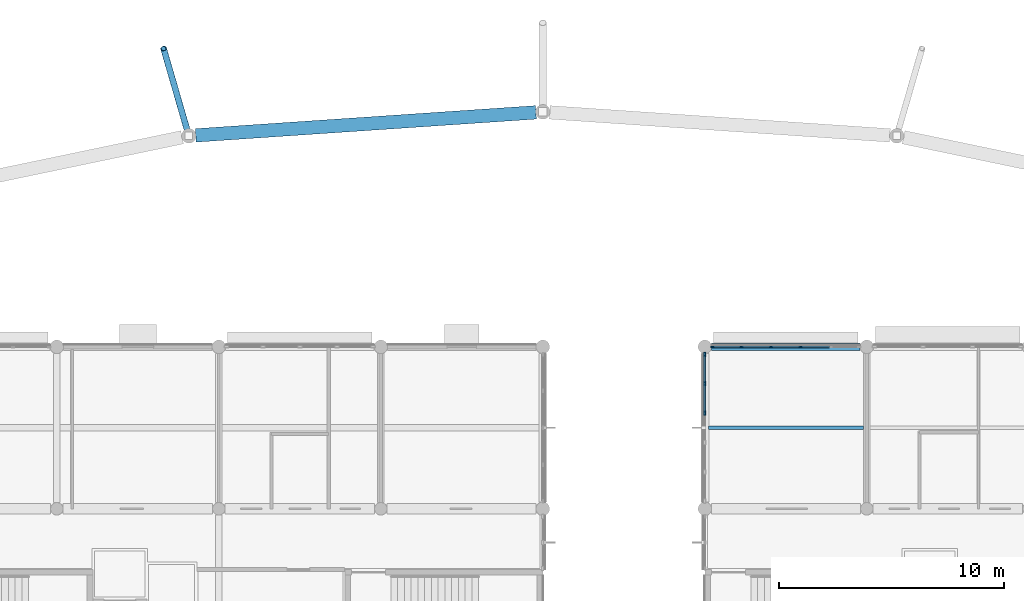
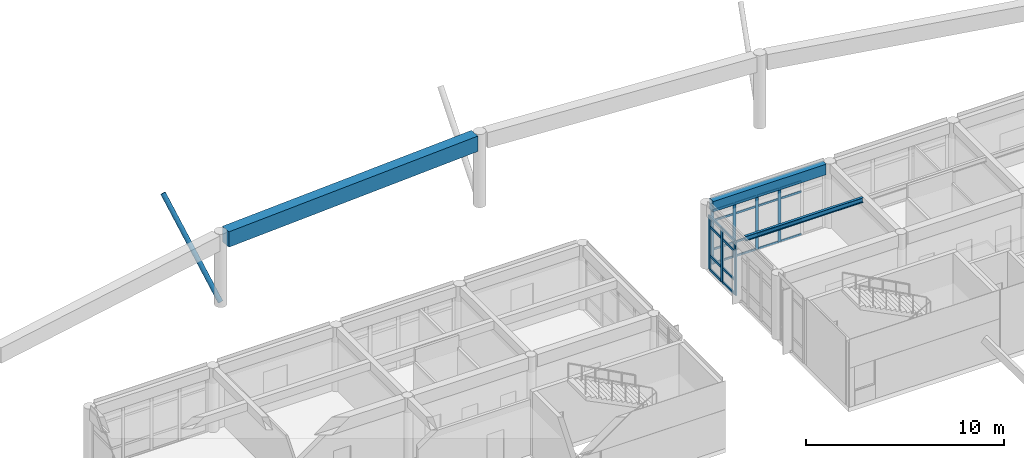
# One storey, part 12 of 37: 32 members, 3 beams, 2 elements without a shape of their own.
"""IFC4 building model written with IfcOpenShell, lengths in metres."""

import ifcopenshell
import ifcopenshell.guid

model = None  # the IFC model being written
_history = None  # IfcOwnerHistory: only IFC2X3 demands one
_inside = {}  # id of a spatial element -> (the spatial element, [elements in it])
_under = {}  # id of a project, library or spatial element -> (it, [spatial elements below it])
_declared = {}  # id of a project -> (the project, [libraries it declares])
_typed = {}  # id of a type object -> (the type object, [elements of that type])
_made_of = {}  # id of a material, layer set ... -> (it, [elements and type objects made of it])


def new_model(schema):
    """Start an empty IFC model of exactly this schema.

    Asked for "IFC4X3", IfcOpenShell would pick the latest addendum, in which some entities
    have other attributes; the version numbers below select the first issue.
    IFC2X3 requires an IfcOwnerHistory on every rooted entity: one is made here for all.
    """
    global model, _history
    if schema == "IFC4X3":
        model = ifcopenshell.file(schema_version=(4, 3, 0, 0))
    else:
        model = ifcopenshell.file(schema=schema)
    _inside.clear()
    _under.clear()
    _declared.clear()
    _typed.clear()
    _made_of.clear()
    _history = None
    if model.schema == "IFC2X3":
        org = make("IfcOrganization", Name="unknown")
        user = make(
            "IfcPersonAndOrganization",
            ThePerson=make("IfcPerson", FamilyName="unknown"),
            TheOrganization=org,
        )
        app = make(
            "IfcApplication",
            ApplicationDeveloper=org,
            Version="unknown",
            ApplicationFullName="unknown",
            ApplicationIdentifier="unknown",
        )
        _history = make(
            "IfcOwnerHistory",
            OwningUser=user,
            OwningApplication=app,
            ChangeAction="ADDED",
            CreationDate=0,
        )
    return model


def make(cls, **values):
    """One entity of the class cls with the attributes given. An attribute that is None is left unset."""
    return model.create_entity(
        cls, **{name: value for name, value in values.items() if value is not None}
    )


def rooted(cls, **values):
    """An entity with a GlobalId (a new one), such as an element, a storey or a relation."""
    return make(cls, GlobalId=ifcopenshell.guid.new(), OwnerHistory=_history, **values)


def si_unit(unit_type, name, prefix=None):
    """IfcSIUnit, for example si_unit("LENGTHUNIT", "METRE", prefix="MILLI")."""
    return make("IfcSIUnit", UnitType=unit_type, Prefix=prefix, Name=name)


def assignment(units):
    """IfcUnitAssignment: the units of a project."""
    return None if units is None else make("IfcUnitAssignment", Units=units)


def point(xyz):
    """IfcCartesianPoint."""
    return None if xyz is None else make("IfcCartesianPoint", Coordinates=xyz)


def direction(xyz):
    """IfcDirection."""
    return None if xyz is None else make("IfcDirection", DirectionRatios=xyz)


def frame(location, z_axis=None, x_axis=None):
    """IfcAxis2Placement3D, a coordinate frame: its origin and axes. An axis left out is left unset."""
    return make(
        "IfcAxis2Placement3D",
        Location=point(location),
        Axis=direction(z_axis),
        RefDirection=direction(x_axis),
    )


def frame_2d(location, x_axis=None):
    """IfcAxis2Placement2D, a coordinate frame in the plane: its origin and x axis."""
    return make(
        "IfcAxis2Placement2D", Location=point(location), RefDirection=direction(x_axis)
    )


def origin():
    """The frame at (0, 0, 0) with its axes left unset."""
    return frame((0.0, 0.0, 0.0))


def origin_2d():
    """The frame at (0, 0) in the plane with its x axis left unset."""
    return frame_2d((0.0, 0.0))


def place(relative_to, where):
    """IfcLocalPlacement: puts the frame where relative to a parent placement (None: the world)."""
    return make(
        "IfcLocalPlacement", PlacementRelTo=relative_to, RelativePlacement=where
    )


def context(
    kind, dimensions, precision=None, world=None, true_north=None, identifier=None
):
    """IfcGeometricRepresentationContext, for example the 3D "Model" context."""
    return make(
        "IfcGeometricRepresentationContext",
        ContextIdentifier=identifier,
        ContextType=kind,
        CoordinateSpaceDimension=dimensions,
        Precision=precision,
        WorldCoordinateSystem=world,
        TrueNorth=true_north,
    )


def subcontext(parent, identifier, kind, view, scale=None):
    """IfcGeometricRepresentationSubContext, for example "Body" below "Model"."""
    return make(
        "IfcGeometricRepresentationSubContext",
        ContextIdentifier=identifier,
        ContextType=kind,
        ParentContext=parent,
        TargetScale=scale,
        TargetView=view,
    )


def project(units=None, contexts=None):
    """IfcProject with its units and contexts."""
    return rooted(
        "IfcProject",
        Name="project",
        RepresentationContexts=contexts,
        UnitsInContext=assignment(units),
    )


def spatial(cls, under=None, at=None, **own):
    """A site, building, storey or space (cls), placed at a placement, below another one or the project."""
    s = rooted(cls, ObjectPlacement=at, **own)
    if under is not None:
        _under.setdefault(under.id(), (under, []))[1].append(s)
    return s


def profile(cls, at=None, kind="AREA", **sizes):
    """A parametric profile (cls). Its sizes go by their IFC names, for example OverallWidth=200.0."""
    return make(cls, ProfileType=kind, Position=at, **sizes)


def rectangle(**sizes):
    """IfcRectangleProfileDef."""
    return profile("IfcRectangleProfileDef", **sizes)


def hollow_circle(**sizes):
    """IfcCircleHollowProfileDef."""
    return profile("IfcCircleHollowProfileDef", **sizes)


def i_section(**sizes):
    """IfcIShapeProfileDef."""
    return profile("IfcIShapeProfileDef", **sizes)


def extrude(swept, where, along, depth):
    """IfcExtrudedAreaSolid: the profile swept, set in the frame where, extruded along a direction by depth."""
    return make(
        "IfcExtrudedAreaSolid",
        SweptArea=swept,
        Position=where,
        ExtrudedDirection=direction(along),
        Depth=depth,
    )


def shape(context_of_items, identifier, shape_type, items):
    """IfcShapeRepresentation: the items that make up one representation, for example the "Body"."""
    return make(
        "IfcShapeRepresentation",
        ContextOfItems=context_of_items,
        RepresentationIdentifier=identifier,
        RepresentationType=shape_type,
        Items=items,
    )


def material(Name=None, Category=None):
    """IfcMaterial."""
    return make("IfcMaterial", Name=Name, Category=Category)


def layer(
    of_material, thickness, ventilated=None, Name=None, Category=None, Priority=None
):
    """IfcMaterialLayer: one layer of a wall or slab, of a material (None: an air gap)."""
    return make(
        "IfcMaterialLayer",
        Material=of_material,
        LayerThickness=thickness,
        IsVentilated=ventilated,
        Name=Name,
        Category=Category,
        Priority=Priority,
    )


def layer_set(layers, Name=None):
    """IfcMaterialLayerSet."""
    return make("IfcMaterialLayerSet", MaterialLayers=layers, LayerSetName=Name)


def material_profile(
    of_material, cross_section, Name=None, Category=None, Priority=None
):
    """IfcMaterialProfile: a cross section and its material."""
    return make(
        "IfcMaterialProfile",
        Name=Name,
        Material=of_material,
        Profile=cross_section,
        Priority=Priority,
        Category=Category,
    )


def profile_set(profiles, Name=None, composite=None):
    """IfcMaterialProfileSet."""
    return make(
        "IfcMaterialProfileSet",
        Name=Name,
        MaterialProfiles=profiles,
        CompositeProfile=composite,
    )


def made_of(thing, what):
    """Note that an element or type object is made of a material, layer set ...; save() writes the relation."""
    if what is not None:
        _made_of.setdefault(what.id(), (what, []))[1].append(thing)
    return thing


def type_object(cls, material=None, **own):
    """A type object (cls), such as IfcWallType, which elements share."""
    return made_of(rooted(cls, **own), material)


def element(
    cls,
    number,
    at=None,
    inside=None,
    cuts=None,
    type_object=None,
    material=None,
    context=None,
    identifier="Body",
    shape_type=None,
    held_by="IfcProductDefinitionShape",
    body=None,
    shapes=None,
    **own,
):
    """One element of the class cls, such as IfcWall. Its Tag is "e" and its number.

    at: its placement. inside: the storey or other place that contains it. cuts: it is an
    opening in that element (IfcRelVoidsElement). A single representation is given by context,
    identifier, shape_type and body (its items); several are given by shapes. held_by: the class
    of the entity that holds the representations. save() writes the other relations.
    """
    e = rooted(cls, Tag="e%d" % number, ObjectPlacement=at, **own)
    if body is not None:
        shapes = [shape(context, identifier, shape_type, body)]
    if shapes is not None:
        e.Representation = make(held_by, Representations=shapes)
    if inside is not None:
        _inside.setdefault(inside.id(), (inside, []))[1].append(e)
    if cuts is not None:
        rooted(
            "IfcRelVoidsElement", RelatingBuildingElement=cuts, RelatedOpeningElement=e
        )
    if type_object is not None:
        _typed.setdefault(type_object.id(), (type_object, []))[1].append(e)
    return made_of(e, material)


def aggregate(whole, parts):
    """IfcRelAggregates: a whole, such as a stair, and the parts it consists of."""
    return rooted("IfcRelAggregates", RelatingObject=whole, RelatedObjects=parts)


def save(model, path):
    """Write the relations noted so far, then the file.

    IfcRelAggregates (storeys below a building ...), IfcRelContainedInSpatialStructure (elements
    in a storey), IfcRelDefinesByType, IfcRelAssociatesMaterial and IfcRelDeclares: one each for
    every whole, place, type object, material and project.
    """
    for whole, parts in _under.values():
        aggregate(whole, parts)
    for where, things in _inside.values():
        rooted(
            "IfcRelContainedInSpatialStructure",
            RelatedElements=things,
            RelatingStructure=where,
        )
    for kind, things in _typed.values():
        rooted("IfcRelDefinesByType", RelatedObjects=things, RelatingType=kind)
    for what, things in _made_of.values():
        rooted("IfcRelAssociatesMaterial", RelatedObjects=things, RelatingMaterial=what)
    for by, libraries in _declared.values():
        rooted("IfcRelDeclares", RelatingContext=by, RelatedDefinitions=libraries)
    model.write(path)


model = new_model("IFC4")

# Units and contexts
model_context = context("Model", 3, precision=1e-05, world=origin(), true_north=direction((0.0, 1.0)))
body_context = subcontext(model_context, "Body", "Model", "MODEL_VIEW")
ifc_project = project(units=[si_unit("LENGTHUNIT", "METRE"), si_unit("AREAUNIT", "SQUARE_METRE"), si_unit("VOLUMEUNIT", "CUBIC_METRE"), si_unit("PLANEANGLEUNIT", "RADIAN"), si_unit("MASSUNIT", "GRAM", prefix="KILO")], contexts=[model_context])

# Site, building, storey
site_placement = place(None, origin())
site = spatial("IfcSite", under=ifc_project, at=site_placement, CompositionType="ELEMENT")
building_placement = place(site_placement, origin())
building = spatial("IfcBuilding", under=site, at=building_placement, Name="Namkhue Oval Health Centre", CompositionType="ELEMENT")
storey_placement = place(building_placement, frame((0.0, 0.0, 22.199951171875)))
storey = spatial("IfcBuildingStorey", under=building, at=storey_placement, Name="L05", CompositionType="ELEMENT", Elevation=22.199951171875)

# Member
ifc_material_1 = material(Name="Structural steel EN 10025-2 S355JR (TCVN 5575:2024)", Category="steel")
ifc_material_profile_1 = material_profile(ifc_material_1, hollow_circle(Radius=0.136474609375, WallThickness=0.012451171875, at=origin_2d()), Name="CHS 273x12.5")
ifc_profile_set_1 = profile_set([ifc_material_profile_1], Name="Structural steel EN 10025-2 S355JR (TCVN 5575:2024)")
member_type_1 = type_object("IfcMemberType", Name="CANOPY STRUT CHS 273", PredefinedType="STRUT", material=ifc_profile_set_1)
member_1_placement = place(storey_placement, frame((70.664306640625, 113.787109375, 0.115234375), z_axis=(-0.179481966001, 0.620362906898, 0.763502513175), x_axis=(-0.960604276788, -0.277919814725, 0.0)))
element("IfcMember", 1, at=member_1_placement, inside=storey, type_object=member_type_1, Name="Outer Overhang Tree-Branch Canopy Strut 10", PredefinedType="STRUT", context=body_context, shape_type="SweptSolid", body=[
    extrude(hollow_circle(Radius=0.136474609375, WallThickness=0.012451171875, at=origin_2d()), origin(), (0.0, 0.0, 1.0), 6.24072265625),
])

# Curtain wall, members
ifc_material_2 = material(Name="Anodised aluminium EN AW-6063 T6", Category="aluminium")
ifc_layer_1 = layer(ifc_material_2, 0.159912109375)
ifc_layer_set_1 = layer_set([ifc_layer_1], Name="Anodised aluminium EN AW-6063 T6")
curtain_wall_type_1 = type_object("IfcCurtainWallType", Name="UNITISED CURTAIN WALL M1200", PredefinedType="NOTDEFINED", material=ifc_layer_set_1)
curtain_wall_1_placement = place(storey_placement, origin())
curtain_wall_1 = element("IfcCurtainWall", 2, at=curtain_wall_1_placement, inside=storey, type_object=curtain_wall_type_1, Name="Volume V3 L05 Unitised Curtain Wall 133", PredefinedType="NOTDEFINED")
ifc_material_profile_2 = material_profile(ifc_material_2, rectangle(XDim=0.06494140625, YDim=0.159912109375, at=origin_2d()), Name="ALU 65x160")
ifc_profile_set_2 = profile_set([ifc_material_profile_2], Name="Anodised aluminium EN AW-6063 T6")
member_type_2 = type_object("IfcMemberType", Name="CURTAIN WALL MULLION 65X160", PredefinedType="MULLION", material=ifc_profile_set_2)
member_2_placement = place(storey_placement, frame((97.85791015625, 104.39990234375, 0.0), z_axis=(0.0, 0.0, 1.0), x_axis=(0.0, -1.0, 0.0)))
member_2 = element("IfcMember", 3, at=member_2_placement, type_object=member_type_2, Name="CW-01 mullion 3", PredefinedType="MULLION", context=body_context, shape_type="SweptSolid", body=[
    extrude(rectangle(XDim=0.06494140625, YDim=0.159912109375, at=origin_2d()), origin(), (0.0, 0.0, 1.0), 3.320068359375),
])
member_3_placement = place(storey_placement, frame((96.5419921875, 104.39990234375, 0.0), z_axis=(0.0, 0.0, 1.0), x_axis=(0.0, -1.0, 0.0)))
member_3 = element("IfcMember", 4, at=member_3_placement, type_object=member_type_2, Name="CW-01 mullion 4", PredefinedType="MULLION", context=body_context, shape_type="SweptSolid", body=[
    extrude(rectangle(XDim=0.06494140625, YDim=0.159912109375, at=origin_2d()), origin(), (0.0, 0.0, 1.0), 3.320068359375),
])
member_4_placement = place(storey_placement, frame((95.22607421875, 104.39990234375, 0.0), z_axis=(0.0, 0.0, 1.0), x_axis=(0.0, -1.0, 0.0)))
member_4 = element("IfcMember", 5, at=member_4_placement, type_object=member_type_2, Name="CW-01 mullion 5", PredefinedType="MULLION", context=body_context, shape_type="SweptSolid", body=[
    extrude(rectangle(XDim=0.06494140625, YDim=0.159912109375, at=origin_2d()), origin(), (0.0, 0.0, 1.0), 3.320068359375),
])
member_5_placement = place(storey_placement, frame((93.9423828125, 104.39990234375, 0.0), z_axis=(0.0, 0.0, 1.0), x_axis=(0.0, -1.0, 0.0)))
member_5 = element("IfcMember", 6, at=member_5_placement, type_object=member_type_2, Name="CW-01 mullion 6", PredefinedType="MULLION", context=body_context, shape_type="SweptSolid", body=[
    extrude(rectangle(XDim=0.06494140625, YDim=0.159912109375, at=origin_2d()), origin(), (0.0, 0.0, 1.0), 3.320068359375),
])

ifc_layer_2 = layer(ifc_material_2, 0.159912109375)
ifc_layer_set_2 = layer_set([ifc_layer_2], Name="Anodised aluminium EN AW-6063 T6")
curtain_wall_type_2 = type_object("IfcCurtainWallType", Name="UNITISED CURTAIN WALL M1350", PredefinedType="NOTDEFINED", material=ifc_layer_set_2)
curtain_wall_2_placement = place(storey_placement, origin())
curtain_wall_2 = element("IfcCurtainWall", 7, at=curtain_wall_2_placement, inside=storey, type_object=curtain_wall_type_2, Name="Volume V3 L05 Unitised Curtain Wall 134", PredefinedType="NOTDEFINED")
ifc_material_profile_3 = material_profile(ifc_material_2, rectangle(XDim=0.074951171875, YDim=0.199951171875, at=origin_2d()), Name="ALU 75x200")
ifc_profile_set_3 = profile_set([ifc_material_profile_3], Name="Anodised aluminium EN AW-6063 T6")
member_type_3 = type_object("IfcMemberType", Name="CURTAIN WALL MULLION 75X200", PredefinedType="MULLION", material=ifc_profile_set_3)
member_6_placement = place(storey_placement, frame((93.60009765625, 104.052490234375, 0.0), z_axis=(0.0, 0.0, 1.0), x_axis=(1.0, 0.0, 0.0)))
member_6 = element("IfcMember", 8, at=member_6_placement, type_object=member_type_3, Name="CW-02 mullion 1", PredefinedType="MULLION", context=body_context, shape_type="SweptSolid", body=[
    extrude(rectangle(XDim=0.074951171875, YDim=0.199951171875, at=origin_2d()), origin(), (0.0, 0.0, 1.0), 3.320068359375),
])
member_7_placement = place(storey_placement, frame((93.60009765625, 102.77392578125, 0.0), z_axis=(0.0, 0.0, 1.0), x_axis=(1.0, 0.0, 0.0)))
member_7 = element("IfcMember", 9, at=member_7_placement, type_object=member_type_3, Name="CW-02 mullion 2", PredefinedType="MULLION", context=body_context, shape_type="SweptSolid", body=[
    extrude(rectangle(XDim=0.074951171875, YDim=0.199951171875, at=origin_2d()), origin(), (0.0, 0.0, 1.0), 3.320068359375),
])
member_8_placement = place(storey_placement, frame((93.60009765625, 101.4580078125, 0.0), z_axis=(0.0, 0.0, 1.0), x_axis=(1.0, 0.0, 0.0)))
member_8 = element("IfcMember", 10, at=member_8_placement, type_object=member_type_3, Name="CW-02 mullion 3", PredefinedType="MULLION", context=body_context, shape_type="SweptSolid", body=[
    extrude(rectangle(XDim=0.074951171875, YDim=0.199951171875, at=origin_2d()), origin(), (0.0, 0.0, 1.0), 3.320068359375),
])

# Member
ifc_material_profile_4 = material_profile(ifc_material_2, rectangle(XDim=0.06494140625, YDim=0.1201171875, at=origin_2d()), Name="ALU 65x120")
ifc_profile_set_4 = profile_set([ifc_material_profile_4], Name="Anodised aluminium EN AW-6063 T6")
member_type_4 = type_object("IfcMemberType", Name="CURTAIN WALL TRANSOM 65X120", PredefinedType="USERDEFINED", material=ifc_profile_set_4)
member_9_placement = place(storey_placement, frame((99.1416015625, 104.39990234375, 0.032470703125), z_axis=(-1.0, 0.0, 0.0), x_axis=(0.0, -1.0, 0.0)))
member_9 = element("IfcMember", 11, at=member_9_placement, type_object=member_type_4, Name="CW-01 transom 2.1", ObjectType="TRANSOM", PredefinedType="USERDEFINED", context=body_context, shape_type="SweptSolid", body=[
    extrude(rectangle(XDim=0.06494140625, YDim=0.1201171875, at=origin_2d()), origin(), (0.0, 0.0, 1.0), 1.251220703125),
])

member_10_placement = place(storey_placement, frame((99.1416015625, 104.39990234375, 0.900146484375), z_axis=(-1.0, 0.0, 0.0), x_axis=(0.0, -1.0, 0.0)))
member_10 = element("IfcMember", 12, at=member_10_placement, type_object=member_type_4, Name="CW-01 transom 2.2", ObjectType="TRANSOM", PredefinedType="USERDEFINED", context=body_context, shape_type="SweptSolid", body=[
    extrude(rectangle(XDim=0.06494140625, YDim=0.1201171875, at=origin_2d()), origin(), (0.0, 0.0, 1.0), 1.251220703125),
])

member_11_placement = place(storey_placement, frame((99.1416015625, 104.39990234375, 2.670166015625), z_axis=(-1.0, 0.0, 0.0), x_axis=(0.0, -1.0, 0.0)))
member_11 = element("IfcMember", 13, at=member_11_placement, type_object=member_type_4, Name="CW-01 transom 2.3", ObjectType="TRANSOM", PredefinedType="USERDEFINED", context=body_context, shape_type="SweptSolid", body=[
    extrude(rectangle(XDim=0.06494140625, YDim=0.1201171875, at=origin_2d()), origin(), (0.0, 0.0, 1.0), 1.251220703125),
])

member_12_placement = place(storey_placement, frame((99.1416015625, 104.39990234375, 3.28759765625), z_axis=(-1.0, 0.0, 0.0), x_axis=(0.0, -1.0, 0.0)))
member_12 = element("IfcMember", 14, at=member_12_placement, type_object=member_type_4, Name="CW-01 transom 2.4", ObjectType="TRANSOM", PredefinedType="USERDEFINED", context=body_context, shape_type="SweptSolid", body=[
    extrude(rectangle(XDim=0.06494140625, YDim=0.1201171875, at=origin_2d()), origin(), (0.0, 0.0, 1.0), 1.251220703125),
])

member_13_placement = place(storey_placement, frame((97.825439453125, 104.39990234375, 0.032470703125), z_axis=(-1.0, 0.0, 0.0), x_axis=(0.0, -1.0, 0.0)))
member_13 = element("IfcMember", 15, at=member_13_placement, type_object=member_type_4, Name="CW-01 transom 3.1", ObjectType="TRANSOM", PredefinedType="USERDEFINED", context=body_context, shape_type="SweptSolid", body=[
    extrude(rectangle(XDim=0.06494140625, YDim=0.1201171875, at=origin_2d()), origin(), (0.0, 0.0, 1.0), 1.2509765625),
])

member_14_placement = place(storey_placement, frame((97.825439453125, 104.39990234375, 0.900146484375), z_axis=(-1.0, 0.0, 0.0), x_axis=(0.0, -1.0, 0.0)))
member_14 = element("IfcMember", 16, at=member_14_placement, type_object=member_type_4, Name="CW-01 transom 3.2", ObjectType="TRANSOM", PredefinedType="USERDEFINED", context=body_context, shape_type="SweptSolid", body=[
    extrude(rectangle(XDim=0.06494140625, YDim=0.1201171875, at=origin_2d()), origin(), (0.0, 0.0, 1.0), 1.2509765625),
])

member_15_placement = place(storey_placement, frame((97.825439453125, 104.39990234375, 2.670166015625), z_axis=(-1.0, 0.0, 0.0), x_axis=(0.0, -1.0, 0.0)))
member_15 = element("IfcMember", 17, at=member_15_placement, type_object=member_type_4, Name="CW-01 transom 3.3", ObjectType="TRANSOM", PredefinedType="USERDEFINED", context=body_context, shape_type="SweptSolid", body=[
    extrude(rectangle(XDim=0.06494140625, YDim=0.1201171875, at=origin_2d()), origin(), (0.0, 0.0, 1.0), 1.2509765625),
])

member_16_placement = place(storey_placement, frame((97.825439453125, 104.39990234375, 3.28759765625), z_axis=(-1.0, 0.0, 0.0), x_axis=(0.0, -1.0, 0.0)))
member_16 = element("IfcMember", 18, at=member_16_placement, type_object=member_type_4, Name="CW-01 transom 3.4", ObjectType="TRANSOM", PredefinedType="USERDEFINED", context=body_context, shape_type="SweptSolid", body=[
    extrude(rectangle(XDim=0.06494140625, YDim=0.1201171875, at=origin_2d()), origin(), (0.0, 0.0, 1.0), 1.2509765625),
])

member_17_placement = place(storey_placement, frame((96.509521484375, 104.39990234375, 0.032470703125), z_axis=(-1.0, 0.0, 0.0), x_axis=(0.0, -1.0, 0.0)))
member_17 = element("IfcMember", 19, at=member_17_placement, type_object=member_type_4, Name="CW-01 transom 4.1", ObjectType="TRANSOM", PredefinedType="USERDEFINED", context=body_context, shape_type="SweptSolid", body=[
    extrude(rectangle(XDim=0.06494140625, YDim=0.1201171875, at=origin_2d()), origin(), (0.0, 0.0, 1.0), 1.2509765625),
])

member_18_placement = place(storey_placement, frame((96.509521484375, 104.39990234375, 0.900146484375), z_axis=(-1.0, 0.0, 0.0), x_axis=(0.0, -1.0, 0.0)))
member_18 = element("IfcMember", 20, at=member_18_placement, type_object=member_type_4, Name="CW-01 transom 4.2", ObjectType="TRANSOM", PredefinedType="USERDEFINED", context=body_context, shape_type="SweptSolid", body=[
    extrude(rectangle(XDim=0.06494140625, YDim=0.1201171875, at=origin_2d()), origin(), (0.0, 0.0, 1.0), 1.2509765625),
])

member_19_placement = place(storey_placement, frame((96.509521484375, 104.39990234375, 2.670166015625), z_axis=(-1.0, 0.0, 0.0), x_axis=(0.0, -1.0, 0.0)))
member_19 = element("IfcMember", 21, at=member_19_placement, type_object=member_type_4, Name="CW-01 transom 4.3", ObjectType="TRANSOM", PredefinedType="USERDEFINED", context=body_context, shape_type="SweptSolid", body=[
    extrude(rectangle(XDim=0.06494140625, YDim=0.1201171875, at=origin_2d()), origin(), (0.0, 0.0, 1.0), 1.2509765625),
])

member_20_placement = place(storey_placement, frame((96.509521484375, 104.39990234375, 3.28759765625), z_axis=(-1.0, 0.0, 0.0), x_axis=(0.0, -1.0, 0.0)))
member_20 = element("IfcMember", 22, at=member_20_placement, type_object=member_type_4, Name="CW-01 transom 4.4", ObjectType="TRANSOM", PredefinedType="USERDEFINED", context=body_context, shape_type="SweptSolid", body=[
    extrude(rectangle(XDim=0.06494140625, YDim=0.1201171875, at=origin_2d()), origin(), (0.0, 0.0, 1.0), 1.2509765625),
])

member_21_placement = place(storey_placement, frame((95.193603515625, 104.39990234375, 0.032470703125), z_axis=(-1.0, 0.0, 0.0), x_axis=(0.0, -1.0, 0.0)))
member_21 = element("IfcMember", 23, at=member_21_placement, type_object=member_type_4, Name="CW-01 transom 5.1", ObjectType="TRANSOM", PredefinedType="USERDEFINED", context=body_context, shape_type="SweptSolid", body=[
    extrude(rectangle(XDim=0.06494140625, YDim=0.1201171875, at=origin_2d()), origin(), (0.0, 0.0, 1.0), 1.218505859375),
])

member_22_placement = place(storey_placement, frame((95.193603515625, 104.39990234375, 0.900146484375), z_axis=(-1.0, 0.0, 0.0), x_axis=(0.0, -1.0, 0.0)))
member_22 = element("IfcMember", 24, at=member_22_placement, type_object=member_type_4, Name="CW-01 transom 5.2", ObjectType="TRANSOM", PredefinedType="USERDEFINED", context=body_context, shape_type="SweptSolid", body=[
    extrude(rectangle(XDim=0.06494140625, YDim=0.1201171875, at=origin_2d()), origin(), (0.0, 0.0, 1.0), 1.218505859375),
])

member_23_placement = place(storey_placement, frame((95.193603515625, 104.39990234375, 2.670166015625), z_axis=(-1.0, 0.0, 0.0), x_axis=(0.0, -1.0, 0.0)))
member_23 = element("IfcMember", 25, at=member_23_placement, type_object=member_type_4, Name="CW-01 transom 5.3", ObjectType="TRANSOM", PredefinedType="USERDEFINED", context=body_context, shape_type="SweptSolid", body=[
    extrude(rectangle(XDim=0.06494140625, YDim=0.1201171875, at=origin_2d()), origin(), (0.0, 0.0, 1.0), 1.218505859375),
])

member_24_placement = place(storey_placement, frame((95.193603515625, 104.39990234375, 3.28759765625), z_axis=(-1.0, 0.0, 0.0), x_axis=(0.0, -1.0, 0.0)))
member_24 = element("IfcMember", 26, at=member_24_placement, type_object=member_type_4, Name="CW-01 transom 5.4", ObjectType="TRANSOM", PredefinedType="USERDEFINED", context=body_context, shape_type="SweptSolid", body=[
    extrude(rectangle(XDim=0.06494140625, YDim=0.1201171875, at=origin_2d()), origin(), (0.0, 0.0, 1.0), 1.218505859375),
])

aggregate(curtain_wall_1, [member_2, member_3, member_4, member_5, member_9, member_10, member_11, member_12, member_13, member_14, member_15, member_16, member_17, member_18, member_19, member_20, member_21, member_22, member_23, member_24])

ifc_material_profile_5 = material_profile(ifc_material_2, rectangle(XDim=0.074951171875, YDim=0.14990234375, at=origin_2d()), Name="ALU 75x150")
ifc_profile_set_5 = profile_set([ifc_material_profile_5], Name="Anodised aluminium EN AW-6063 T6")
member_type_5 = type_object("IfcMemberType", Name="CURTAIN WALL TRANSOM 75X150", PredefinedType="USERDEFINED", material=ifc_profile_set_5)
member_25_placement = place(storey_placement, frame((93.60009765625, 104.014892578125, 0.03759765625), z_axis=(0.0, -1.0, 0.0), x_axis=(1.0, 0.0, 0.0)))
member_25 = element("IfcMember", 27, at=member_25_placement, type_object=member_type_5, Name="CW-02 transom 1.1", ObjectType="TRANSOM", PredefinedType="USERDEFINED", context=body_context, shape_type="SweptSolid", body=[
    extrude(rectangle(XDim=0.074951171875, YDim=0.14990234375, at=origin_2d()), origin(), (0.0, 0.0, 1.0), 1.203369140625),
])

member_26_placement = place(storey_placement, frame((93.60009765625, 104.014892578125, 0.900146484375), z_axis=(0.0, -1.0, 0.0), x_axis=(1.0, 0.0, 0.0)))
member_26 = element("IfcMember", 28, at=member_26_placement, type_object=member_type_5, Name="CW-02 transom 1.2", ObjectType="TRANSOM", PredefinedType="USERDEFINED", context=body_context, shape_type="SweptSolid", body=[
    extrude(rectangle(XDim=0.074951171875, YDim=0.14990234375, at=origin_2d()), origin(), (0.0, 0.0, 1.0), 1.203369140625),
])

member_27_placement = place(storey_placement, frame((93.60009765625, 104.014892578125, 2.670166015625), z_axis=(0.0, -1.0, 0.0), x_axis=(1.0, 0.0, 0.0)))
member_27 = element("IfcMember", 29, at=member_27_placement, type_object=member_type_5, Name="CW-02 transom 1.3", ObjectType="TRANSOM", PredefinedType="USERDEFINED", context=body_context, shape_type="SweptSolid", body=[
    extrude(rectangle(XDim=0.074951171875, YDim=0.14990234375, at=origin_2d()), origin(), (0.0, 0.0, 1.0), 1.203369140625),
])

member_28_placement = place(storey_placement, frame((93.60009765625, 104.014892578125, 3.282470703125), z_axis=(0.0, -1.0, 0.0), x_axis=(1.0, 0.0, 0.0)))
member_28 = element("IfcMember", 30, at=member_28_placement, type_object=member_type_5, Name="CW-02 transom 1.4", ObjectType="TRANSOM", PredefinedType="USERDEFINED", context=body_context, shape_type="SweptSolid", body=[
    extrude(rectangle(XDim=0.074951171875, YDim=0.14990234375, at=origin_2d()), origin(), (0.0, 0.0, 1.0), 1.203369140625),
])

member_29_placement = place(storey_placement, frame((93.60009765625, 102.736572265625, 0.03759765625), z_axis=(0.0, -1.0, 0.0), x_axis=(1.0, 0.0, 0.0)))
member_29 = element("IfcMember", 31, at=member_29_placement, type_object=member_type_5, Name="CW-02 transom 2.1", ObjectType="TRANSOM", PredefinedType="USERDEFINED", context=body_context, shape_type="SweptSolid", body=[
    extrude(rectangle(XDim=0.074951171875, YDim=0.14990234375, at=origin_2d()), origin(), (0.0, 0.0, 1.0), 1.240966796875),
])

member_30_placement = place(storey_placement, frame((93.60009765625, 102.736572265625, 0.900146484375), z_axis=(0.0, -1.0, 0.0), x_axis=(1.0, 0.0, 0.0)))
member_30 = element("IfcMember", 32, at=member_30_placement, type_object=member_type_5, Name="CW-02 transom 2.2", ObjectType="TRANSOM", PredefinedType="USERDEFINED", context=body_context, shape_type="SweptSolid", body=[
    extrude(rectangle(XDim=0.074951171875, YDim=0.14990234375, at=origin_2d()), origin(), (0.0, 0.0, 1.0), 1.240966796875),
])

member_31_placement = place(storey_placement, frame((93.60009765625, 102.736572265625, 2.670166015625), z_axis=(0.0, -1.0, 0.0), x_axis=(1.0, 0.0, 0.0)))
member_31 = element("IfcMember", 33, at=member_31_placement, type_object=member_type_5, Name="CW-02 transom 2.3", ObjectType="TRANSOM", PredefinedType="USERDEFINED", context=body_context, shape_type="SweptSolid", body=[
    extrude(rectangle(XDim=0.074951171875, YDim=0.14990234375, at=origin_2d()), origin(), (0.0, 0.0, 1.0), 1.240966796875),
])

member_32_placement = place(storey_placement, frame((93.60009765625, 102.736572265625, 3.282470703125), z_axis=(0.0, -1.0, 0.0), x_axis=(1.0, 0.0, 0.0)))
member_32 = element("IfcMember", 34, at=member_32_placement, type_object=member_type_5, Name="CW-02 transom 2.4", ObjectType="TRANSOM", PredefinedType="USERDEFINED", context=body_context, shape_type="SweptSolid", body=[
    extrude(rectangle(XDim=0.074951171875, YDim=0.14990234375, at=origin_2d()), origin(), (0.0, 0.0, 1.0), 1.240966796875),
])

aggregate(curtain_wall_2, [member_6, member_7, member_8, member_25, member_26, member_27, member_28, member_29, member_30, member_31, member_32])

# Beams
ifc_material_3 = material(Name="Reinforced concrete C35/45 (TCVN B40)", Category="concrete")
ifc_material_profile_6 = material_profile(ifc_material_3, rectangle(XDim=0.35009765625, YDim=0.64990234375, at=origin_2d()), Name="RC 350x650")
ifc_profile_set_6 = profile_set([ifc_material_profile_6], Name="Reinforced concrete C35/45 (TCVN B40)")
beam_type_1 = type_object("IfcBeamType", Name="PERIMETER SPANDREL BEAM 350X650", PredefinedType="SPANDREL", material=ifc_profile_set_6)
beam_1_placement = place(storey_placement, frame((93.89990234375, 104.39990234375, 3.64501953125), z_axis=(1.0, 0.0, 0.0), x_axis=(0.0, 1.0, 0.0)))
element("IfcBeam", 35, at=beam_1_placement, inside=storey, type_object=beam_type_1, Name="Volume V3 RF Girder P/14-15", PredefinedType="SPANDREL", context=body_context, shape_type="SweptSolid", body=[
    extrude(rectangle(XDim=0.35009765625, YDim=0.64990234375, at=origin_2d()), origin(), (0.0, 0.0, 1.0), 6.60009765625),
])
ifc_material_profile_7 = material_profile(ifc_material_3, rectangle(XDim=0.60009765625, YDim=0.949951171875, at=origin_2d()), Name="RC 600x950")
ifc_profile_set_7 = profile_set([ifc_material_profile_7], Name="Reinforced concrete C35/45 (TCVN B40)")
beam_type_2 = type_object("IfcBeamType", Name="RING GIRDER RC 600X950", PredefinedType="USERDEFINED", material=ifc_profile_set_7)
beam_2_placement = place(storey_placement, frame((86.095703125, 114.8193359375, 4.025146484375), z_axis=(-0.99771592483, -0.067549488082, 0.0), x_axis=(0.067549488082, -0.99771592483, 0.0)))
element("IfcBeam", 36, at=beam_2_placement, inside=storey, type_object=beam_type_2, Name="Gridshell OR Concrete Ring Girder 9", ObjectType="GIRDER", PredefinedType="USERDEFINED", context=body_context, shape_type="SweptSolid", body=[
    extrude(rectangle(XDim=0.60009765625, YDim=0.949951171875, at=origin_2d()), origin(), (0.0, 0.0, 1.0), 15.158203125),
])
ifc_material_profile_8 = material_profile(ifc_material_1, i_section(OverallWidth=0.14990234375, OverallDepth=0.300048828125, WebThickness=0.007080078125, FlangeThickness=0.0107421875, FilletRadius=0.014892578125, at=origin_2d()), Name="IPE 300")
ifc_profile_set_8 = profile_set([ifc_material_profile_8], Name="Structural steel EN 10025-2 S355JR (TCVN 5575:2024)")
beam_type_3 = type_object("IfcBeamType", Name="SECONDARY JOIST STEEL IPE 300", PredefinedType="JOIST", material=ifc_profile_set_8)
beam_3_placement = place(storey_placement, frame((93.77490234375, 100.800048828125, 3.820068359375), z_axis=(1.0, 0.0, 0.0), x_axis=(0.0, 1.0, 0.0)))
element("IfcBeam", 37, at=beam_3_placement, inside=storey, type_object=beam_type_3, Name="Volume V3 RF Secondary Joist 14-15", PredefinedType="JOIST", context=body_context, shape_type="SweptSolid", body=[
    extrude(i_section(OverallWidth=0.14990234375, OverallDepth=0.300048828125, WebThickness=0.007080078125, FlangeThickness=0.0107421875, FilletRadius=0.014892578125, at=origin_2d()), origin(), (0.0, 0.0, 1.0), 6.875),
])

save(model, "model.ifc")
